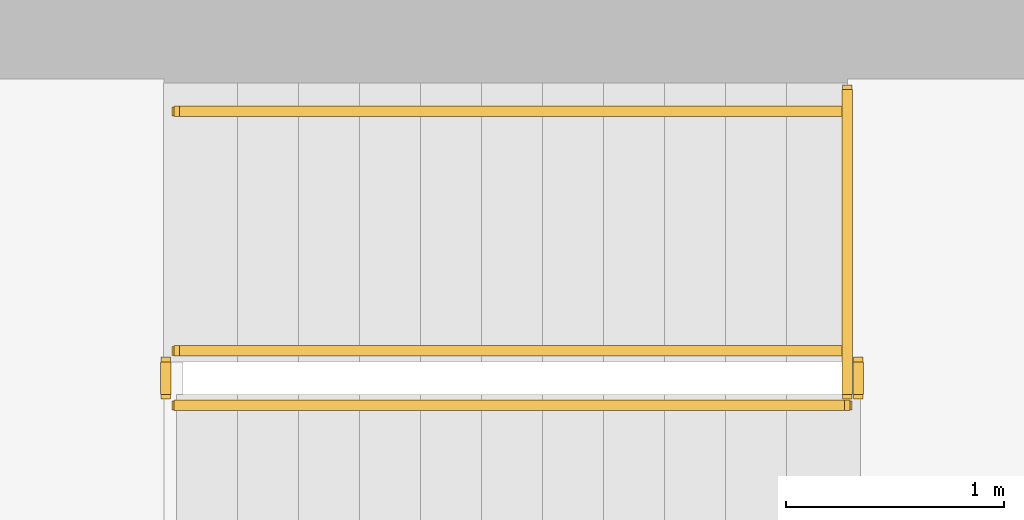
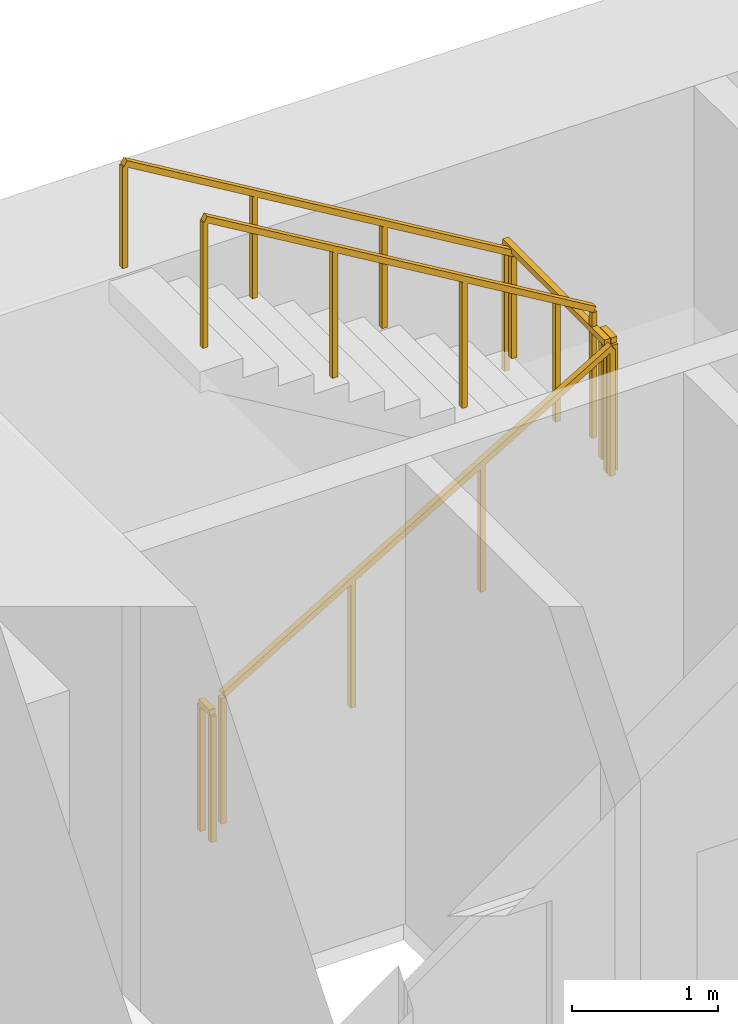
# One storey, part 15 of 16: 6 railings.
"""IFC4 building model written with IfcOpenShell, lengths in metres."""

from ifc_helpers import new_model, si_unit, direction, frame, origin, origin_2d, place, context, subcontext, project, spatial, rectangle, extrude, material, type_object, element, save


model = new_model("IFC4")

# Units and contexts
model_context = context("Model", 3, precision=1e-05, world=origin(), true_north=direction((0.0, 1.0)))
body_context = subcontext(model_context, "Body", "Model", "MODEL_VIEW")
ifc_project = project(units=[si_unit("LENGTHUNIT", "METRE"), si_unit("AREAUNIT", "SQUARE_METRE"), si_unit("VOLUMEUNIT", "CUBIC_METRE"), si_unit("PLANEANGLEUNIT", "RADIAN"), si_unit("MASSUNIT", "GRAM", prefix="KILO")], contexts=[model_context])

# Site, building, storey
site_placement = place(None, origin())
site = spatial("IfcSite", under=ifc_project, at=site_placement, CompositionType="ELEMENT")
building_placement = place(site_placement, origin())
building = spatial("IfcBuilding", under=site, at=building_placement, Name="Sennacour Bend Tower", CompositionType="ELEMENT")
storey_placement = place(building_placement, frame((0.0, 0.0, 119.0)))
storey = spatial("IfcBuildingStorey", under=building, at=storey_placement, Name="L27", CompositionType="ELEMENT", Elevation=119.0)

# Railings
ifc_material = material(Name="Stainless steel", Category="steel")
railing_type_1 = type_object("IfcRailingType", Name="RL-GUARD-1100", PredefinedType="GUARDRAIL", material=ifc_material)
railing_1_placement = place(storey_placement, frame((56.699951171875, 19.85009765625, 0.166748046875)))
element("IfcRailing", 1, at=railing_1_placement, inside=storey, type_object=railing_type_1, Name="L27 SA2 stair guard 1", PredefinedType="GUARDRAIL", context=body_context, shape_type="SweptSolid", body=[
    extrude(rectangle(XDim=0.048095703125, YDim=0.048095703125, at=origin_2d()), frame((0.0, 0.0, 1.076171875), z_axis=(0.859308565015, 0.0, 0.511457515432), x_axis=(0.0, 1.0, 0.0)), (0.0, 0.0, 1.0), 3.58447265625),
    extrude(rectangle(XDim=0.0419921875, YDim=0.0419921875, at=origin_2d()), origin(), (0.0, 0.0, 1.0), 1.052001953125),
    extrude(rectangle(XDim=0.0419921875, YDim=0.0419921875, at=origin_2d()), frame((1.026611328125, 0.0, 0.611083984375)), (0.0, 0.0, 1.0), 1.052001953125),
    extrude(rectangle(XDim=0.0419921875, YDim=0.0419921875, at=origin_2d()), frame((2.053466796875, 0.0, 1.22216796875)), (0.0, 0.0, 1.0), 1.052001953125),
    extrude(rectangle(XDim=0.0419921875, YDim=0.0419921875, at=origin_2d()), frame((3.080078125, 0.0, 1.833251953125)), (0.0, 0.0, 1.0), 1.052001953125),
])
railing_2_placement = place(storey_placement, frame((59.830078125, 19.89990234375, 2.0)))
element("IfcRailing", 2, at=railing_2_placement, inside=storey, type_object=railing_type_1, Name="L27 SA2 stair guard 2", PredefinedType="GUARDRAIL", context=body_context, shape_type="SweptSolid", body=[
    extrude(rectangle(XDim=0.048095703125, YDim=0.048095703125, at=origin_2d()), frame((0.0, 0.0, 1.076171875), z_axis=(0.0, 1.0, 0.0), x_axis=(-1.0, 0.0, 0.0)), (0.0, 0.0, 1.0), 0.150146484375),
    extrude(rectangle(XDim=0.0419921875, YDim=0.0419921875, at=origin_2d()), origin(), (0.0, 0.0, 1.0), 1.052001953125),
    extrude(rectangle(XDim=0.0419921875, YDim=0.0419921875, at=origin_2d()), frame((0.0, 0.150146484375, 0.0)), (0.0, 0.0, 1.0), 1.052001953125),
])
railing_3_placement = place(storey_placement, frame((59.780029296875, 20.10009765625, 2.166748046875)))
element("IfcRailing", 3, at=railing_3_placement, inside=storey, type_object=railing_type_1, Name="L27 SA2 stair guard 4", PredefinedType="GUARDRAIL", context=body_context, shape_type="SweptSolid", body=[
    extrude(rectangle(XDim=0.048095703125, YDim=0.048095703125, at=origin_2d()), frame((0.0, 0.0, 1.076171875), z_axis=(-0.859308565015, 0.0, 0.511457515432), x_axis=(0.0, -1.0, 0.0)), (0.0, 0.0, 1.0), 3.58447265625),
    extrude(rectangle(XDim=0.0419921875, YDim=0.0419921875, at=origin_2d()), origin(), (0.0, 0.0, 1.0), 1.052001953125),
    extrude(rectangle(XDim=0.0419921875, YDim=0.0419921875, at=origin_2d()), frame((-1.026611328125, 0.0, 0.611083984375)), (0.0, 0.0, 1.0), 1.052001953125),
    extrude(rectangle(XDim=0.0419921875, YDim=0.0419921875, at=origin_2d()), frame((-2.053466796875, 0.0, 1.22216796875)), (0.0, 0.0, 1.0), 1.052001953125),
    extrude(rectangle(XDim=0.0419921875, YDim=0.0419921875, at=origin_2d()), frame((-3.080078125, 0.0, 1.833251953125)), (0.0, 0.0, 1.0), 1.052001953125),
])
railing_4_placement = place(storey_placement, frame((56.64990234375, 19.89990234375, 0.0)))
element("IfcRailing", 4, at=railing_4_placement, inside=storey, type_object=railing_type_1, Name="L27 SA2 stair guard 5", PredefinedType="GUARDRAIL", context=body_context, shape_type="SweptSolid", body=[
    extrude(rectangle(XDim=0.048095703125, YDim=0.048095703125, at=origin_2d()), frame((0.0, 0.0, 1.076171875), z_axis=(0.0, 1.0, 0.0), x_axis=(-1.0, 0.0, 0.0)), (0.0, 0.0, 1.0), 0.150146484375),
    extrude(rectangle(XDim=0.0419921875, YDim=0.0419921875, at=origin_2d()), origin(), (0.0, 0.0, 1.0), 1.052001953125),
    extrude(rectangle(XDim=0.0419921875, YDim=0.0419921875, at=origin_2d()), frame((0.0, 0.150146484375, 0.0)), (0.0, 0.0, 1.0), 1.052001953125),
])
railing_5_placement = place(storey_placement, frame((59.780029296875, 19.89990234375, 2.0)))
element("IfcRailing", 5, at=railing_5_placement, inside=storey, type_object=railing_type_1, Name="L27 SA2 landing edge guard 40", PredefinedType="GUARDRAIL", context=body_context, shape_type="SweptSolid", body=[
    extrude(rectangle(XDim=0.048095703125, YDim=0.048095703125, at=origin_2d()), frame((0.0, 0.0, 1.076171875), z_axis=(0.0, 1.0, 0.0), x_axis=(-1.0, 0.0, 0.0)), (0.0, 0.0, 1.0), 1.400146484375),
    extrude(rectangle(XDim=0.0419921875, YDim=0.0419921875, at=origin_2d()), origin(), (0.0, 0.0, 1.0), 1.052001953125),
    extrude(rectangle(XDim=0.0419921875, YDim=0.0419921875, at=origin_2d()), frame((0.0, 0.7001953125, 0.0)), (0.0, 0.0, 1.0), 1.052001953125),
    extrude(rectangle(XDim=0.0419921875, YDim=0.0419921875, at=origin_2d()), frame((0.0, 1.400146484375, 0.0)), (0.0, 0.0, 1.0), 1.052001953125),
])
railing_type_2 = type_object("IfcRailingType", Name="RL-HANDRAIL-900", PredefinedType="HANDRAIL", material=ifc_material)
railing_6_placement = place(storey_placement, frame((59.780029296875, 21.199951171875, 2.166748046875)))
element("IfcRailing", 6, at=railing_6_placement, inside=storey, type_object=railing_type_2, Name="L27 SA2 stair handrail 2", PredefinedType="HANDRAIL", context=body_context, shape_type="SweptSolid", body=[
    extrude(rectangle(XDim=0.048095703125, YDim=0.048095703125, at=origin_2d()), frame((0.0, 0.0, 0.8759765625), z_axis=(-0.859308565015, 0.0, 0.511457515432), x_axis=(0.0, -1.0, 0.0)), (0.0, 0.0, 1.0), 3.58447265625),
    extrude(rectangle(XDim=0.0419921875, YDim=0.0419921875, at=origin_2d()), origin(), (0.0, 0.0, 1.0), 0.851806640625),
    extrude(rectangle(XDim=0.0419921875, YDim=0.0419921875, at=origin_2d()), frame((-1.026611328125, 0.0, 0.611083984375)), (0.0, 0.0, 1.0), 0.851806640625),
    extrude(rectangle(XDim=0.0419921875, YDim=0.0419921875, at=origin_2d()), frame((-2.053466796875, 0.0, 1.22216796875)), (0.0, 0.0, 1.0), 0.851806640625),
    extrude(rectangle(XDim=0.0419921875, YDim=0.0419921875, at=origin_2d()), frame((-3.080078125, 0.0, 1.833251953125)), (0.0, 0.0, 1.0), 0.851806640625),
])

save(model, "model.ifc")
